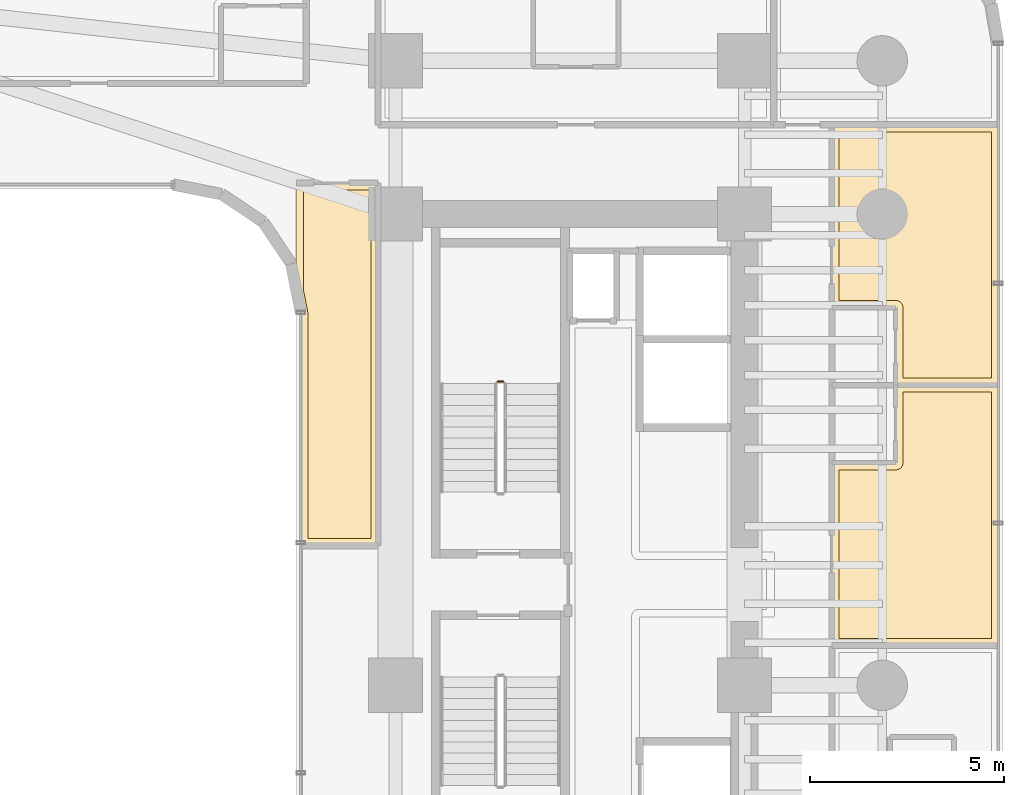
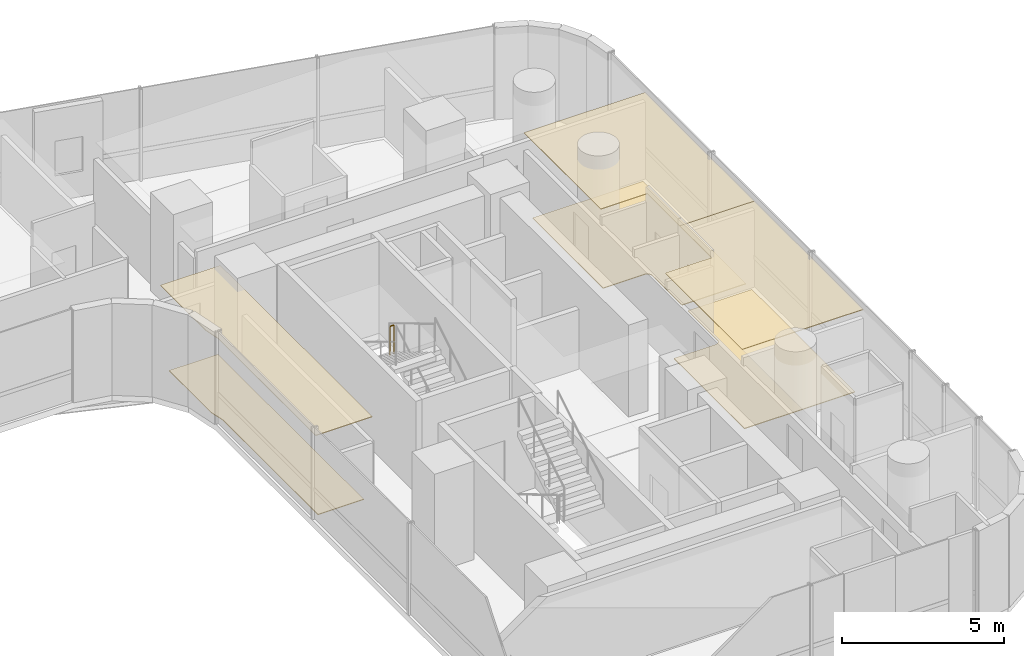
# One storey, part 40 of 42: 6 coverings, 1 railing.
"""IFC4 building model written with IfcOpenShell, lengths in metres."""

from ifc_helpers import new_model, si_unit, direction, frame, origin, origin_2d, place, context, subcontext, project, spatial, polyline, circle, outline, extrude, material, layer, layer_set, type_object, element, save


model = new_model("IFC4")

# Units and contexts
model_context = context("Model", 3, precision=1e-05, world=origin(), true_north=direction((0.0, 1.0)))
body_context = subcontext(model_context, "Body", "Model", "MODEL_VIEW")
ifc_project = project(units=[si_unit("LENGTHUNIT", "METRE"), si_unit("AREAUNIT", "SQUARE_METRE"), si_unit("VOLUMEUNIT", "CUBIC_METRE"), si_unit("PLANEANGLEUNIT", "RADIAN"), si_unit("MASSUNIT", "GRAM", prefix="KILO")], contexts=[model_context])

# Site, building, storey
site_placement = place(None, origin())
site = spatial("IfcSite", under=ifc_project, at=site_placement, CompositionType="ELEMENT")
building_placement = place(site_placement, origin())
building = spatial("IfcBuilding", under=site, at=building_placement, Name="Valdorenza Pilgrim Sanctuary Tower", CompositionType="ELEMENT")
storey_placement = place(building_placement, frame((0.0, 0.0, 29.699951171875)))
storey = spatial("IfcBuildingStorey", under=building, at=storey_placement, Name="L06", CompositionType="ELEMENT", Elevation=29.699951171875)

# Coverings
ifc_material_1 = material(Name="Micro-perforated acoustic mineral ceiling tile", Category="gypsum")
ifc_layer_1 = layer(ifc_material_1, 0.02490234375, Name="Micro-perforated acoustic mineral ceiling tile")
ifc_layer_set_1 = layer_set([ifc_layer_1], Name="Micro-perforated acoustic mineral ceiling tile")
covering_type_1 = type_object("IfcCoveringType", Name="COV-CLG-ACU", PredefinedType="CEILING", material=ifc_layer_set_1)
covering_1_placement = place(storey_placement, frame((0.0, 0.0, 3.16015625)))
element("IfcCovering", 1, at=covering_1_placement, inside=storey, type_object=covering_type_1, Name="L06 East Sanctuary Guest Room L06-EG3 Acoustic Ceiling", PredefinedType="CEILING", context=body_context, shape_type="SweptSolid", body=[
    extrude(outline(polyline([(27.0849609375, 3.135986328125), (27.085205078125, 3.137451171875), (27.085205078125, 3.138916015625), (27.085693359375, 3.140380859375), (27.086181640625, 3.1416015625), (27.0869140625, 3.14306640625), (27.08740234375, 3.144287109375), (27.08837890625, 3.1455078125), (27.08935546875, 3.146484375), (27.090576171875, 3.147705078125), (27.091796875, 3.1484375), (27.093017578125, 3.149169921875), (27.09423828125, 3.14990234375), (27.095703125, 3.150390625), (27.09716796875, 3.150634765625), (27.098388671875, 3.15087890625), (27.10009765625, 3.15087890625), (28.737060546875, 3.15087890625), (28.737060546875, 5.137939453125), (28.737060546875, 5.139404296875), (28.7373046875, 5.140869140625), (28.737548828125, 5.142333984375), (28.738037109375, 5.143798828125), (28.73876953125, 5.14501953125), (28.739501953125, 5.146240234375), (28.740478515625, 5.1474609375), (28.741455078125, 5.148681640625), (28.742431640625, 5.149658203125), (28.74365234375, 5.150390625), (28.744873046875, 5.151123046875), (28.746337890625, 5.15185546875), (28.74755859375, 5.15234375), (28.7490234375, 5.152587890625), (28.75048828125, 5.15283203125), (28.751953125, 5.153076171875), (31.389892578125, 5.153076171875), (31.3916015625, 5.15283203125), (31.392822265625, 5.152587890625), (31.394287109375, 5.15234375), (31.395751953125, 5.15185546875), (31.397216796875, 5.151123046875), (31.398193359375, 5.150390625), (31.3994140625, 5.149658203125), (31.400634765625, 5.148681640625), (31.401611328125, 5.1474609375), (31.402587890625, 5.146240234375), (31.4033203125, 5.14501953125), (31.40380859375, 5.143798828125), (31.404296875, 5.142333984375), (31.40478515625, 5.140869140625), (31.40478515625, 5.139404296875), (31.405029296875, 5.137939453125), (31.405029296875, -1.572998046875), (31.40478515625, -1.574462890625), (31.40478515625, -1.575927734375), (31.404296875, -1.577392578125), (31.40380859375, -1.57861328125), (31.4033203125, -1.580078125), (31.402587890625, -1.581298828125), (31.401611328125, -1.58251953125), (31.400634765625, -1.58349609375), (31.3994140625, -1.584716796875), (31.398193359375, -1.58544921875), (31.397216796875, -1.586181640625), (31.395751953125, -1.5869140625), (31.394287109375, -1.58740234375), (31.392822265625, -1.587646484375), (31.3916015625, -1.587890625), (31.389892578125, -1.587890625), (27.10009765625, -1.587890625), (27.098388671875, -1.587890625), (27.09716796875, -1.587646484375), (27.095703125, -1.58740234375), (27.09423828125, -1.5869140625), (27.093017578125, -1.586181640625), (27.091796875, -1.58544921875), (27.090576171875, -1.584716796875), (27.08935546875, -1.58349609375), (27.08837890625, -1.58251953125), (27.08740234375, -1.581298828125), (27.0869140625, -1.580078125), (27.086181640625, -1.57861328125), (27.085693359375, -1.577392578125), (27.085205078125, -1.575927734375), (27.085205078125, -1.574462890625), (27.0849609375, -1.572998046875), (27.0849609375, 3.135986328125)])), origin(), (0.0, 0.0, 1.0), 0.02490234375),
])
covering_2_placement = place(storey_placement, frame((0.0, 0.0, 3.16015625)))
element("IfcCovering", 2, at=covering_2_placement, inside=storey, type_object=covering_type_1, Name="L06 East Sanctuary Guest Room L06-EG4 Acoustic Ceiling", PredefinedType="CEILING", context=body_context, shape_type="SweptSolid", body=[
    extrude(outline(polyline([(28.737060546875, 7.125), (27.10009765625, 7.125), (27.098388671875, 7.125), (27.09716796875, 7.125244140625), (27.095703125, 7.12548828125), (27.09423828125, 7.126220703125), (27.093017578125, 7.126708984375), (27.091796875, 7.12744140625), (27.090576171875, 7.12841796875), (27.08935546875, 7.12939453125), (27.08837890625, 7.130615234375), (27.08740234375, 7.131591796875), (27.0869140625, 7.1328125), (27.086181640625, 7.13427734375), (27.085693359375, 7.135498046875), (27.085205078125, 7.13720703125), (27.085205078125, 7.138427734375), (27.0849609375, 7.139892578125), (27.0849609375, 11.847900390625), (27.085205078125, 11.849609375), (27.085205078125, 11.850830078125), (27.085693359375, 11.852294921875), (27.086181640625, 11.853759765625), (27.0869140625, 11.85498046875), (27.08740234375, 11.856201171875), (27.08837890625, 11.857421875), (27.08935546875, 11.858642578125), (27.090576171875, 11.859619140625), (27.091796875, 11.860595703125), (27.093017578125, 11.861083984375), (27.09423828125, 11.86181640625), (27.095703125, 11.8623046875), (27.09716796875, 11.86279296875), (27.098388671875, 11.86279296875), (27.10009765625, 11.863037109375), (31.389892578125, 11.863037109375), (31.3916015625, 11.86279296875), (31.392822265625, 11.86279296875), (31.394287109375, 11.8623046875), (31.395751953125, 11.86181640625), (31.397216796875, 11.861083984375), (31.398193359375, 11.860595703125), (31.3994140625, 11.859619140625), (31.400634765625, 11.858642578125), (31.401611328125, 11.857421875), (31.402587890625, 11.856201171875), (31.4033203125, 11.85498046875), (31.40380859375, 11.853759765625), (31.404296875, 11.852294921875), (31.40478515625, 11.850830078125), (31.40478515625, 11.849609375), (31.405029296875, 11.847900390625), (31.405029296875, 5.139892578125), (31.40478515625, 5.138427734375), (31.40478515625, 5.13720703125), (31.404296875, 5.135498046875), (31.40380859375, 5.13427734375), (31.4033203125, 5.1328125), (31.402587890625, 5.131591796875), (31.401611328125, 5.130615234375), (31.400634765625, 5.12939453125), (31.3994140625, 5.12841796875), (31.398193359375, 5.12744140625), (31.397216796875, 5.126708984375), (31.395751953125, 5.126220703125), (31.394287109375, 5.12548828125), (31.392822265625, 5.125244140625), (31.3916015625, 5.125), (31.389892578125, 5.125), (28.751953125, 5.125), (28.75048828125, 5.125), (28.7490234375, 5.125244140625), (28.74755859375, 5.12548828125), (28.746337890625, 5.126220703125), (28.744873046875, 5.126708984375), (28.74365234375, 5.12744140625), (28.742431640625, 5.12841796875), (28.741455078125, 5.12939453125), (28.740478515625, 5.130615234375), (28.739501953125, 5.131591796875), (28.73876953125, 5.1328125), (28.738037109375, 5.13427734375), (28.737548828125, 5.135498046875), (28.7373046875, 5.13720703125), (28.737060546875, 5.138427734375), (28.737060546875, 5.139892578125), (28.737060546875, 7.125)])), origin(), (0.0, 0.0, 1.0), 0.02490234375),
])
covering_3_placement = place(storey_placement, frame((0.0, 0.0, 3.16015625)))
element("IfcCovering", 3, at=covering_3_placement, inside=storey, type_object=covering_type_1, Name="L06 Courtyard Overlook Salon L06 Acoustic Ceiling", PredefinedType="CEILING", context=body_context, shape_type="SweptSolid", body=[
    extrude(outline(polyline([(15.39990234375, 10.364990234375), (15.401611328125, 10.364990234375), (15.40283203125, 10.36474609375), (15.404296875, 10.364501953125), (15.40576171875, 10.364013671875), (15.406982421875, 10.36328125), (15.408203125, 10.362548828125), (15.409423828125, 10.361572265625), (15.41064453125, 10.360595703125), (15.41162109375, 10.359619140625), (15.41259765625, 10.3583984375), (15.4130859375, 10.357177734375), (15.413818359375, 10.355712890625), (15.414306640625, 10.3544921875), (15.414794921875, 10.352783203125), (15.414794921875, 10.3515625), (15.4150390625, 10.35009765625), (15.4150390625, 1.0), (15.414794921875, 0.99853515625), (15.414794921875, 0.9970703125), (15.414306640625, 0.99560546875), (15.413818359375, 0.994384765625), (15.4130859375, 0.992919921875), (15.41259765625, 0.99169921875), (15.41162109375, 0.990478515625), (15.41064453125, 0.989501953125), (15.409423828125, 0.98828125), (15.408203125, 0.987548828125), (15.406982421875, 0.98681640625), (15.40576171875, 0.986083984375), (15.404296875, 0.985595703125), (15.40283203125, 0.9853515625), (15.401611328125, 0.985107421875), (15.39990234375, 0.985107421875), (13.409912109375, 0.985107421875), (13.408447265625, 0.985107421875), (13.406982421875, 0.9853515625), (13.405517578125, 0.985595703125), (13.404296875, 0.986083984375), (13.40283203125, 0.98681640625), (13.401611328125, 0.987548828125), (13.400390625, 0.98828125), (13.3994140625, 0.989501953125), (13.3984375, 0.990478515625), (13.3974609375, 0.99169921875), (13.396728515625, 0.992919921875), (13.39599609375, 0.994384765625), (13.3955078125, 0.99560546875), (13.395263671875, 0.9970703125), (13.39501953125, 0.99853515625), (13.39501953125, 1.0), (13.39501953125, 6.99951171875), (13.39453125, 7.00927734375), (13.39306640625, 7.018798828125), (13.285400390625, 7.560791015625), (13.28515625, 7.562255859375), (13.284912109375, 7.563720703125), (13.284912109375, 10.35009765625), (13.28515625, 10.3515625), (13.285400390625, 10.352783203125), (13.28564453125, 10.3544921875), (13.2861328125, 10.355712890625), (13.286865234375, 10.357177734375), (13.28759765625, 10.3583984375), (13.288330078125, 10.359619140625), (13.289306640625, 10.360595703125), (13.29052734375, 10.361572265625), (13.291748046875, 10.362548828125), (13.29296875, 10.36328125), (13.294189453125, 10.364013671875), (13.295654296875, 10.364501953125), (13.297119140625, 10.36474609375), (13.298583984375, 10.364990234375), (13.300048828125, 10.364990234375), (15.39990234375, 10.364990234375)])), origin(), (0.0, 0.0, 1.0), 0.02490234375),
])
ifc_material_2 = material(Name="Engineered European oak timber flooring", Category="wood")
ifc_layer_2 = layer(ifc_material_2, 0.02197265625, Name="Engineered European oak timber flooring")
ifc_layer_set_2 = layer_set([ifc_layer_2], Name="Engineered European oak timber flooring")
covering_type_2 = type_object("IfcCoveringType", Name="COV-FLR-OAK", PredefinedType="FLOORING", material=ifc_layer_set_2)
covering_4_placement = place(storey_placement, origin())
element("IfcCovering", 4, at=covering_4_placement, inside=storey, type_object=covering_type_2, Name="L06 East Sanctuary Guest Room L06-EG3 Flooring", PredefinedType="FLOORING", context=body_context, shape_type="SweptSolid", body=[
    extrude(outline(polyline([(27.280029296875, 2.9560546875), (28.75, 2.9560546875), (28.7587890625, 2.956298828125), (28.759033203125, 2.956298828125), (28.776611328125, 2.9580078125), (28.77685546875, 2.9580078125), (28.794189453125, 2.96142578125), (28.794189453125, 2.96142578125), (28.811279296875, 2.966552734375), (28.811279296875, 2.966796875), (28.82763671875, 2.973388671875), (28.827880859375, 2.973388671875), (28.843505859375, 2.981689453125), (28.843505859375, 2.98193359375), (28.8583984375, 2.99169921875), (28.8583984375, 2.991943359375), (28.8720703125, 3.003173828125), (28.872314453125, 3.003173828125), (28.884765625, 3.015625), (28.885009765625, 3.015869140625), (28.89599609375, 3.029541015625), (28.896240234375, 3.02978515625), (28.906005859375, 3.04443359375), (28.90625, 3.04443359375), (28.91455078125, 3.06005859375), (28.91455078125, 3.060302734375), (28.92138671875, 3.07666015625), (28.92138671875, 3.076904296875), (28.926513671875, 3.09375), (28.926513671875, 3.093994140625), (28.929931640625, 3.111083984375), (28.929931640625, 3.111328125), (28.931884765625, 3.12890625), (28.931884765625, 3.129150390625), (28.931884765625, 3.137939453125), (28.931884765625, 4.9580078125), (31.2099609375, 4.9580078125), (31.2099609375, -1.39306640625), (27.280029296875, -1.39306640625), (27.280029296875, 2.9560546875)])), origin(), (0.0, 0.0, 1.0), 0.025146484375),
])
covering_5_placement = place(storey_placement, origin())
element("IfcCovering", 5, at=covering_5_placement, inside=storey, type_object=covering_type_2, Name="L06 East Sanctuary Guest Room L06-EG4 Flooring", PredefinedType="FLOORING", context=body_context, shape_type="SweptSolid", body=[
    extrude(outline(polyline([(31.2099609375, 5.320068359375), (28.931884765625, 5.320068359375), (28.931884765625, 7.137939453125), (28.931884765625, 7.146728515625), (28.931884765625, 7.14697265625), (28.929931640625, 7.16455078125), (28.929931640625, 7.164794921875), (28.926513671875, 7.18212890625), (28.926513671875, 7.182373046875), (28.92138671875, 7.19921875), (28.92138671875, 7.199462890625), (28.91455078125, 7.2158203125), (28.91455078125, 7.2158203125), (28.90625, 7.2314453125), (28.906005859375, 7.231689453125), (28.896240234375, 7.246337890625), (28.89599609375, 7.24658203125), (28.885009765625, 7.260009765625), (28.884765625, 7.26025390625), (28.872314453125, 7.272705078125), (28.8720703125, 7.27294921875), (28.8583984375, 7.2841796875), (28.8583984375, 7.2841796875), (28.843505859375, 7.294189453125), (28.843505859375, 7.294189453125), (28.827880859375, 7.302490234375), (28.82763671875, 7.302490234375), (28.811279296875, 7.309326171875), (28.811279296875, 7.309326171875), (28.794189453125, 7.314453125), (28.794189453125, 7.314697265625), (28.77685546875, 7.318115234375), (28.776611328125, 7.318115234375), (28.759033203125, 7.31982421875), (28.7587890625, 7.31982421875), (28.75, 7.320068359375), (27.280029296875, 7.320068359375), (27.280029296875, 11.66796875), (31.2099609375, 11.66796875), (31.2099609375, 5.320068359375)])), origin(), (0.0, 0.0, 1.0), 0.025146484375),
])
ifc_material_3 = material(Name="Honed travertine stone flooring", Category="masonry")
ifc_layer_3 = layer(ifc_material_3, 0.030029296875, Name="Honed travertine stone flooring")
ifc_layer_set_3 = layer_set([ifc_layer_3], Name="Honed travertine stone flooring")
covering_type_3 = type_object("IfcCoveringType", Name="COV-FLR-TRV", PredefinedType="FLOORING", material=ifc_layer_set_3)
covering_6_placement = place(storey_placement, origin())
element("IfcCovering", 6, at=covering_6_placement, inside=storey, type_object=covering_type_3, Name="L06 Courtyard Overlook Salon L06 Flooring", PredefinedType="FLOORING", context=body_context, shape_type="SweptSolid", body=[
    extrude(outline(polyline([(15.219970703125, 10.169921875), (15.219970703125, 1.179931640625), (13.590087890625, 1.179931640625), (13.590087890625, 7.0), (13.58984375, 7.0087890625), (13.58935546875, 7.01953125), (13.58740234375, 7.037109375), (13.5859375, 7.0478515625), (13.58447265625, 7.056640625), (13.47998046875, 7.58154296875), (13.47998046875, 10.169921875), (15.219970703125, 10.169921875)])), origin(), (0.0, 0.0, 1.0), 0.025146484375),
])

# Railing
ifc_material_4 = material(Name="Stainless steel Grade 316", Category="steel")
railing_type = type_object("IfcRailingType", Name="RLG-GRD-1120", PredefinedType="GUARDRAIL", material=ifc_material_4)
railing_placement = place(storey_placement, frame((18.6298828125, 5.22998046875, 1.85009765625)))
element("IfcRailing", 7, at=railing_placement, inside=storey, type_object=railing_type, Name="L06 ST-B1 stair guard 2", PredefinedType="GUARDRAIL", context=body_context, shape_type="SweptSolid", body=[
    extrude(circle(Radius=0.02392578125, at=origin_2d()), frame((0.0, 0.0, 1.076171875), z_axis=(-1.0, 0.0, 0.0), x_axis=(0.0, -1.0, 0.0)), (0.0, 0.0, 1.0), 0.14990234375),
    extrude(circle(Radius=0.02099609375, at=origin_2d()), origin(), (0.0, 0.0, 1.0), 1.052001953125),
    extrude(circle(Radius=0.02099609375, at=origin_2d()), frame((-0.14990234375, 0.0, 0.0)), (0.0, 0.0, 1.0), 1.052001953125),
])

save(model, "model.ifc")
